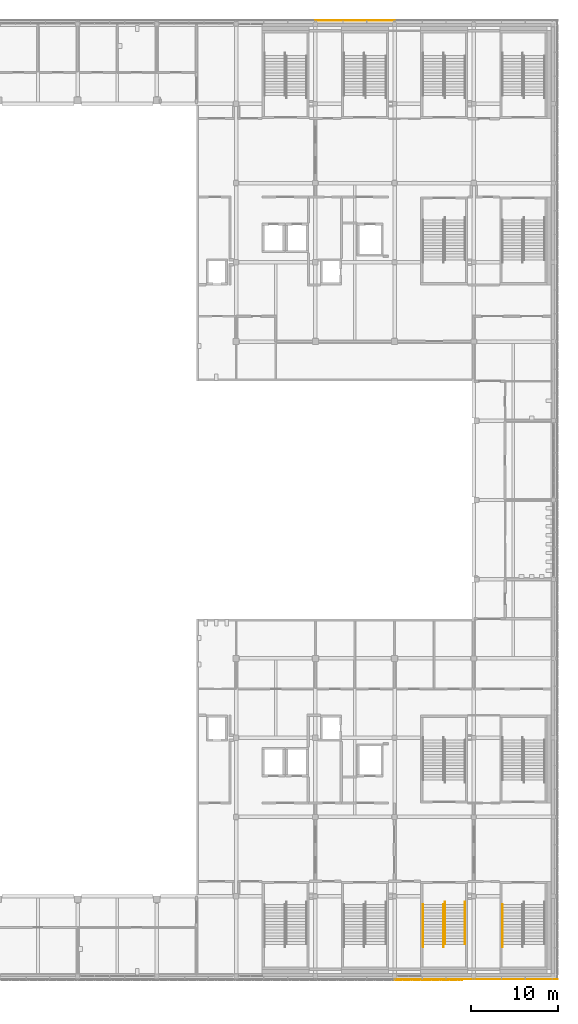
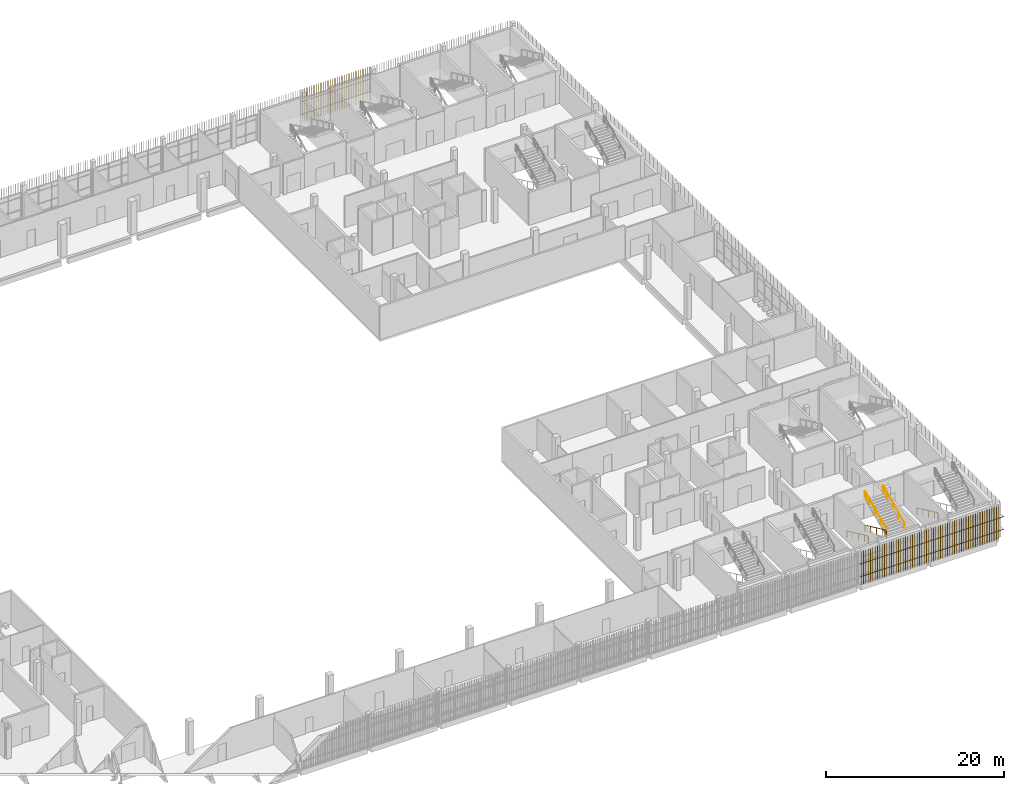
# One storey, part 116 of 124: 5 railings, 3 shading devices.
"""IFC4 building model written with IfcOpenShell, lengths in metres."""

from ifc_helpers import new_model, si_unit, direction, frame, origin, origin_2d, place, context, subcontext, project, spatial, rectangle, circle, extrude, material, type_object, element, save


model = new_model("IFC4")

# Units and contexts
model_context = context("Model", 3, precision=1e-05, world=origin(), true_north=direction((0.0, 1.0)))
body_context = subcontext(model_context, "Body", "Model", "MODEL_VIEW")
ifc_project = project(units=[si_unit("LENGTHUNIT", "METRE"), si_unit("AREAUNIT", "SQUARE_METRE"), si_unit("VOLUMEUNIT", "CUBIC_METRE"), si_unit("PLANEANGLEUNIT", "RADIAN"), si_unit("MASSUNIT", "GRAM", prefix="KILO")], contexts=[model_context])

# Site, building, storey
site_placement = place(None, origin())
site = spatial("IfcSite", under=ifc_project, at=site_placement, CompositionType="ELEMENT")
building_placement = place(site_placement, origin())
building = spatial("IfcBuilding", under=site, at=building_placement, Name="Shirokan Park Arena", CompositionType="ELEMENT")
storey_placement = place(building_placement, frame((0.0, 0.0, 20.02001953125)))
storey = spatial("IfcBuildingStorey", under=building, at=storey_placement, Name="L04", CompositionType="ELEMENT", Elevation=20.02001953125)

# Railings
ifc_material_1 = material(Name="Stainless steel", Category="steel")
railing_type = type_object("IfcRailingType", Name="Stair handrail 900", PredefinedType="HANDRAIL", material=ifc_material_1)
railing_1_placement = place(storey_placement, frame((139.7900390625, 8.14990234375, 0.151611328125)))
element("IfcRailing", 1, at=railing_1_placement, inside=storey, type_object=railing_type, Name="Handrail Exit Stair 2.A L04 to L05", PredefinedType="HANDRAIL", context=body_context, shape_type="SweptSolid", body=[
    extrude(circle(Radius=0.02392578125, at=origin_2d()), frame((0.0, 0.0, 0.8759765625), z_axis=(0.0, -0.906999720516, 0.421131222998), x_axis=(1.0, 0.0, 0.0)), (0.0, 0.0, 1.0), 1.440673828125),
    extrude(circle(Radius=0.02392578125, at=origin_2d()), frame((0.0, -1.306640625, 1.482421875), z_axis=(0.0, -0.907029769225, 0.421066500378), x_axis=(1.0, 0.0, 0.0)), (0.0, 0.0, 1.0), 1.44091796875),
    extrude(circle(Radius=0.02392578125, at=origin_2d()), frame((0.0, -2.613525390625, 2.08935546875), z_axis=(0.0, -0.907029769225, 0.421066500378), x_axis=(1.0, 0.0, 0.0)), (0.0, 0.0, 1.0), 1.44091796875),
    extrude(circle(Radius=0.02392578125, at=origin_2d()), frame((0.0, -3.92041015625, 2.69580078125), z_axis=(0.0, -0.907064445915, 0.420991794405), x_axis=(1.0, 0.0, 0.0)), (0.0, 0.0, 1.0), 0.72021484375),
    extrude(circle(Radius=0.02392578125, at=origin_2d()), frame((0.0, -4.57373046875, 2.9990234375), z_axis=(0.0, -1.0, 0.0), x_axis=(1.0, 0.0, 0.0)), (0.0, 0.0, 1.0), 0.300048828125),
    extrude(circle(Radius=0.02099609375, at=origin_2d()), origin(), (0.0, 0.0, 1.0), 0.851806640625),
    extrude(circle(Radius=0.02099609375, at=origin_2d()), frame((0.0, -1.306640625, 0.606689453125)), (0.0, 0.0, 1.0), 0.851806640625),
    extrude(circle(Radius=0.02099609375, at=origin_2d()), frame((0.0, -2.613525390625, 1.21337890625)), (0.0, 0.0, 1.0), 0.851806640625),
    extrude(circle(Radius=0.02099609375, at=origin_2d()), frame((0.0, -3.92041015625, 1.820068359375)), (0.0, 0.0, 1.0), 0.851806640625),
    extrude(circle(Radius=0.02099609375, at=origin_2d()), frame((0.0, -4.57373046875, 2.123291015625)), (0.0, 0.0, 1.0), 0.851806640625),
    extrude(circle(Radius=0.02099609375, at=origin_2d()), frame((0.0, -4.873779296875, 2.123291015625)), (0.0, 0.0, 1.0), 0.851806640625),
])
railing_2_placement = place(storey_placement, frame((130.68994140625, 8.14990234375, 0.151611328125)))
element("IfcRailing", 2, at=railing_2_placement, inside=storey, type_object=railing_type, Name="Handrail Exit Stair 2.B L04 to L05", PredefinedType="HANDRAIL", context=body_context, shape_type="SweptSolid", body=[
    extrude(circle(Radius=0.02392578125, at=origin_2d()), frame((0.0, 0.0, 0.8759765625), z_axis=(0.0, -0.906999720516, 0.421131222998), x_axis=(1.0, 0.0, 0.0)), (0.0, 0.0, 1.0), 1.440673828125),
    extrude(circle(Radius=0.02392578125, at=origin_2d()), frame((0.0, -1.306640625, 1.482421875), z_axis=(0.0, -0.907029769225, 0.421066500378), x_axis=(1.0, 0.0, 0.0)), (0.0, 0.0, 1.0), 1.44091796875),
    extrude(circle(Radius=0.02392578125, at=origin_2d()), frame((0.0, -2.613525390625, 2.08935546875), z_axis=(0.0, -0.907029769225, 0.421066500378), x_axis=(1.0, 0.0, 0.0)), (0.0, 0.0, 1.0), 1.44091796875),
    extrude(circle(Radius=0.02392578125, at=origin_2d()), frame((0.0, -3.92041015625, 2.69580078125), z_axis=(0.0, -0.907064445915, 0.420991794405), x_axis=(1.0, 0.0, 0.0)), (0.0, 0.0, 1.0), 0.72021484375),
    extrude(circle(Radius=0.02392578125, at=origin_2d()), frame((0.0, -4.57373046875, 2.9990234375), z_axis=(0.0, -1.0, 0.0), x_axis=(1.0, 0.0, 0.0)), (0.0, 0.0, 1.0), 0.300048828125),
    extrude(circle(Radius=0.02099609375, at=origin_2d()), origin(), (0.0, 0.0, 1.0), 0.851806640625),
    extrude(circle(Radius=0.02099609375, at=origin_2d()), frame((0.0, -1.306640625, 0.606689453125)), (0.0, 0.0, 1.0), 0.851806640625),
    extrude(circle(Radius=0.02099609375, at=origin_2d()), frame((0.0, -2.613525390625, 1.21337890625)), (0.0, 0.0, 1.0), 0.851806640625),
    extrude(circle(Radius=0.02099609375, at=origin_2d()), frame((0.0, -3.92041015625, 1.820068359375)), (0.0, 0.0, 1.0), 0.851806640625),
    extrude(circle(Radius=0.02099609375, at=origin_2d()), frame((0.0, -4.57373046875, 2.123291015625)), (0.0, 0.0, 1.0), 0.851806640625),
    extrude(circle(Radius=0.02099609375, at=origin_2d()), frame((0.0, -4.873779296875, 2.123291015625)), (0.0, 0.0, 1.0), 0.851806640625),
])
railing_3_placement = place(storey_placement, frame((133.010009765625, 8.14990234375, 0.151611328125)))
element("IfcRailing", 3, at=railing_3_placement, inside=storey, type_object=railing_type, Name="Handrail Exit Stair 2.B L04 to L05", PredefinedType="HANDRAIL", context=body_context, shape_type="SweptSolid", body=[
    extrude(circle(Radius=0.02392578125, at=origin_2d()), frame((0.0, 0.0, 0.8759765625), z_axis=(0.0, -0.906999720516, 0.421131222998), x_axis=(1.0, 0.0, 0.0)), (0.0, 0.0, 1.0), 1.440673828125),
    extrude(circle(Radius=0.02392578125, at=origin_2d()), frame((0.0, -1.306640625, 1.482421875), z_axis=(0.0, -0.907029769225, 0.421066500378), x_axis=(1.0, 0.0, 0.0)), (0.0, 0.0, 1.0), 1.44091796875),
    extrude(circle(Radius=0.02392578125, at=origin_2d()), frame((0.0, -2.613525390625, 2.08935546875), z_axis=(0.0, -0.907029769225, 0.421066500378), x_axis=(1.0, 0.0, 0.0)), (0.0, 0.0, 1.0), 1.44091796875),
    extrude(circle(Radius=0.02392578125, at=origin_2d()), frame((0.0, -3.92041015625, 2.69580078125), z_axis=(0.0, -0.907064445915, 0.420991794405), x_axis=(1.0, 0.0, 0.0)), (0.0, 0.0, 1.0), 0.72021484375),
    extrude(circle(Radius=0.02392578125, at=origin_2d()), frame((0.0, -4.57373046875, 2.9990234375), z_axis=(0.0, -1.0, 0.0), x_axis=(1.0, 0.0, 0.0)), (0.0, 0.0, 1.0), 0.300048828125),
    extrude(circle(Radius=0.02099609375, at=origin_2d()), origin(), (0.0, 0.0, 1.0), 0.851806640625),
    extrude(circle(Radius=0.02099609375, at=origin_2d()), frame((0.0, -1.306640625, 0.606689453125)), (0.0, 0.0, 1.0), 0.851806640625),
    extrude(circle(Radius=0.02099609375, at=origin_2d()), frame((0.0, -2.613525390625, 1.21337890625)), (0.0, 0.0, 1.0), 0.851806640625),
    extrude(circle(Radius=0.02099609375, at=origin_2d()), frame((0.0, -3.92041015625, 1.820068359375)), (0.0, 0.0, 1.0), 0.851806640625),
    extrude(circle(Radius=0.02099609375, at=origin_2d()), frame((0.0, -4.57373046875, 2.123291015625)), (0.0, 0.0, 1.0), 0.851806640625),
    extrude(circle(Radius=0.02099609375, at=origin_2d()), frame((0.0, -4.873779296875, 2.123291015625)), (0.0, 0.0, 1.0), 0.851806640625),
])
railing_4_placement = place(storey_placement, frame((133.18994140625, 3.576171875, 2.4267578125)))
element("IfcRailing", 4, at=railing_4_placement, inside=storey, type_object=railing_type, Name="Handrail Exit Stair 2.B L04 to L05", PredefinedType="HANDRAIL", context=body_context, shape_type="SweptSolid", body=[
    extrude(circle(Radius=0.02392578125, at=origin_2d()), frame((0.0, 0.0, 0.8759765625), z_axis=(0.0, 0.907094476872, 0.420927083981), x_axis=(-1.0, 0.0, 0.0)), (0.0, 0.0, 1.0), 1.440673828125),
    extrude(circle(Radius=0.02392578125, at=origin_2d()), frame((0.0, 1.306884765625, 1.482421875), z_axis=(0.0, 0.906999720516, 0.421131222998), x_axis=(-1.0, 0.0, 0.0)), (0.0, 0.0, 1.0), 1.440673828125),
    extrude(circle(Radius=0.02392578125, at=origin_2d()), frame((0.0, 2.613525390625, 2.0888671875), z_axis=(0.0, 0.907029769225, 0.421066500378), x_axis=(-1.0, 0.0, 0.0)), (0.0, 0.0, 1.0), 1.44091796875),
    extrude(circle(Radius=0.02392578125, at=origin_2d()), frame((0.0, 3.92041015625, 2.69580078125), z_axis=(0.0, 0.906934982928, 0.421270621741), x_axis=(-1.0, 0.0, 0.0)), (0.0, 0.0, 1.0), 0.720458984375),
    extrude(circle(Radius=0.02392578125, at=origin_2d()), frame((0.0, 4.57373046875, 2.9990234375), z_axis=(0.0, 1.0, 0.0), x_axis=(-1.0, 0.0, 0.0)), (0.0, 0.0, 1.0), 0.300048828125),
    extrude(circle(Radius=0.02099609375, at=origin_2d()), origin(), (0.0, 0.0, 1.0), 0.851806640625),
    extrude(circle(Radius=0.02099609375, at=origin_2d()), frame((0.0, 1.306884765625, 0.6064453125)), (0.0, 0.0, 1.0), 0.851806640625),
    extrude(circle(Radius=0.02099609375, at=origin_2d()), frame((0.0, 2.613525390625, 1.213134765625)), (0.0, 0.0, 1.0), 0.851806640625),
    extrude(circle(Radius=0.02099609375, at=origin_2d()), frame((0.0, 3.92041015625, 1.81982421875)), (0.0, 0.0, 1.0), 0.851806640625),
    extrude(circle(Radius=0.02099609375, at=origin_2d()), frame((0.0, 4.57373046875, 2.123291015625)), (0.0, 0.0, 1.0), 0.851806640625),
    extrude(circle(Radius=0.02099609375, at=origin_2d()), frame((0.0, 4.873779296875, 2.123291015625)), (0.0, 0.0, 1.0), 0.851806640625),
])
railing_5_placement = place(storey_placement, frame((135.510009765625, 3.576171875, 2.4267578125)))
element("IfcRailing", 5, at=railing_5_placement, inside=storey, type_object=railing_type, Name="Handrail Exit Stair 2.B L04 to L05", PredefinedType="HANDRAIL", context=body_context, shape_type="SweptSolid", body=[
    extrude(circle(Radius=0.02392578125, at=origin_2d()), frame((0.0, 0.0, 0.8759765625), z_axis=(0.0, 0.907094476872, 0.420927083981), x_axis=(-1.0, 0.0, 0.0)), (0.0, 0.0, 1.0), 1.440673828125),
    extrude(circle(Radius=0.02392578125, at=origin_2d()), frame((0.0, 1.306884765625, 1.482421875), z_axis=(0.0, 0.906999720516, 0.421131222998), x_axis=(-1.0, 0.0, 0.0)), (0.0, 0.0, 1.0), 1.440673828125),
    extrude(circle(Radius=0.02392578125, at=origin_2d()), frame((0.0, 2.613525390625, 2.0888671875), z_axis=(0.0, 0.907029769225, 0.421066500378), x_axis=(-1.0, 0.0, 0.0)), (0.0, 0.0, 1.0), 1.44091796875),
    extrude(circle(Radius=0.02392578125, at=origin_2d()), frame((0.0, 3.92041015625, 2.69580078125), z_axis=(0.0, 0.906934982928, 0.421270621741), x_axis=(-1.0, 0.0, 0.0)), (0.0, 0.0, 1.0), 0.720458984375),
    extrude(circle(Radius=0.02392578125, at=origin_2d()), frame((0.0, 4.57373046875, 2.9990234375), z_axis=(0.0, 1.0, 0.0), x_axis=(-1.0, 0.0, 0.0)), (0.0, 0.0, 1.0), 0.300048828125),
    extrude(circle(Radius=0.02099609375, at=origin_2d()), origin(), (0.0, 0.0, 1.0), 0.851806640625),
    extrude(circle(Radius=0.02099609375, at=origin_2d()), frame((0.0, 1.306884765625, 0.6064453125)), (0.0, 0.0, 1.0), 0.851806640625),
    extrude(circle(Radius=0.02099609375, at=origin_2d()), frame((0.0, 2.613525390625, 1.213134765625)), (0.0, 0.0, 1.0), 0.851806640625),
    extrude(circle(Radius=0.02099609375, at=origin_2d()), frame((0.0, 3.92041015625, 1.81982421875)), (0.0, 0.0, 1.0), 0.851806640625),
    extrude(circle(Radius=0.02099609375, at=origin_2d()), frame((0.0, 4.57373046875, 2.123291015625)), (0.0, 0.0, 1.0), 0.851806640625),
    extrude(circle(Radius=0.02099609375, at=origin_2d()), frame((0.0, 4.873779296875, 2.123291015625)), (0.0, 0.0, 1.0), 0.851806640625),
])

# Shading devices
ifc_material_2 = material(Name="Timber louvre veil (cedar)", Category="wood")
shading_device_type = type_object("IfcShadingDeviceType", Name="Timber louvre veil panel", PredefinedType="JALOUSIE", material=ifc_material_2)
shading_device_1_placement = place(storey_placement, origin())
element("IfcShadingDevice", 6, at=shading_device_1_placement, inside=storey, type_object=shading_device_type, Name="Timber louvre veil south bay 15 L04", PredefinedType="JALOUSIE", context=body_context, shape_type="SweptSolid", body=[
    extrude(rectangle(XDim=0.050048828125, YDim=0.080078125, at=origin_2d()), frame((127.5517578125, -0.485107421875, 0.0), z_axis=(0.0, 0.0, 1.0), x_axis=(1.0, 0.0, 0.0)), (0.0, 0.0, 1.0), 4.550048828125),
    extrude(rectangle(XDim=0.050048828125, YDim=0.080078125, at=origin_2d()), frame((127.85498046875, -0.485107421875, 0.0), z_axis=(0.0, 0.0, 1.0), x_axis=(1.0, 0.0, 0.0)), (0.0, 0.0, 1.0), 4.550048828125),
    extrude(rectangle(XDim=0.050048828125, YDim=0.080078125, at=origin_2d()), frame((128.158447265625, -0.485107421875, 0.0), z_axis=(0.0, 0.0, 1.0), x_axis=(1.0, 0.0, 0.0)), (0.0, 0.0, 1.0), 4.550048828125),
    extrude(rectangle(XDim=0.050048828125, YDim=0.080078125, at=origin_2d()), frame((128.461669921875, -0.485107421875, 0.0), z_axis=(0.0, 0.0, 1.0), x_axis=(1.0, 0.0, 0.0)), (0.0, 0.0, 1.0), 4.550048828125),
    extrude(rectangle(XDim=0.050048828125, YDim=0.080078125, at=origin_2d()), frame((128.764892578125, -0.485107421875, 0.0), z_axis=(0.0, 0.0, 1.0), x_axis=(1.0, 0.0, 0.0)), (0.0, 0.0, 1.0), 4.550048828125),
    extrude(rectangle(XDim=0.050048828125, YDim=0.080078125, at=origin_2d()), frame((129.068359375, -0.485107421875, 0.0), z_axis=(0.0, 0.0, 1.0), x_axis=(1.0, 0.0, 0.0)), (0.0, 0.0, 1.0), 4.550048828125),
    extrude(rectangle(XDim=0.050048828125, YDim=0.080078125, at=origin_2d()), frame((129.37158203125, -0.485107421875, 0.0), z_axis=(0.0, 0.0, 1.0), x_axis=(1.0, 0.0, 0.0)), (0.0, 0.0, 1.0), 4.550048828125),
    extrude(rectangle(XDim=0.050048828125, YDim=0.080078125, at=origin_2d()), frame((129.675048828125, -0.485107421875, 0.0), z_axis=(0.0, 0.0, 1.0), x_axis=(1.0, 0.0, 0.0)), (0.0, 0.0, 1.0), 4.550048828125),
    extrude(rectangle(XDim=0.050048828125, YDim=0.080078125, at=origin_2d()), frame((129.978271484375, -0.485107421875, 0.0), z_axis=(0.0, 0.0, 1.0), x_axis=(1.0, 0.0, 0.0)), (0.0, 0.0, 1.0), 4.550048828125),
    extrude(rectangle(XDim=0.050048828125, YDim=0.080078125, at=origin_2d()), frame((130.28173828125, -0.485107421875, 0.0), z_axis=(0.0, 0.0, 1.0), x_axis=(1.0, 0.0, 0.0)), (0.0, 0.0, 1.0), 4.550048828125),
    extrude(rectangle(XDim=0.050048828125, YDim=0.080078125, at=origin_2d()), frame((130.5849609375, -0.485107421875, 0.0), z_axis=(0.0, 0.0, 1.0), x_axis=(1.0, 0.0, 0.0)), (0.0, 0.0, 1.0), 4.550048828125),
    extrude(rectangle(XDim=0.050048828125, YDim=0.080078125, at=origin_2d()), frame((130.888427734375, -0.485107421875, 0.0), z_axis=(0.0, 0.0, 1.0), x_axis=(1.0, 0.0, 0.0)), (0.0, 0.0, 1.0), 4.550048828125),
    extrude(rectangle(XDim=0.050048828125, YDim=0.080078125, at=origin_2d()), frame((131.191650390625, -0.485107421875, 0.0), z_axis=(0.0, 0.0, 1.0), x_axis=(1.0, 0.0, 0.0)), (0.0, 0.0, 1.0), 4.550048828125),
    extrude(rectangle(XDim=0.050048828125, YDim=0.080078125, at=origin_2d()), frame((131.4951171875, -0.485107421875, 0.0), z_axis=(0.0, 0.0, 1.0), x_axis=(1.0, 0.0, 0.0)), (0.0, 0.0, 1.0), 4.550048828125),
    extrude(rectangle(XDim=0.050048828125, YDim=0.080078125, at=origin_2d()), frame((131.79833984375, -0.485107421875, 0.0), z_axis=(0.0, 0.0, 1.0), x_axis=(1.0, 0.0, 0.0)), (0.0, 0.0, 1.0), 4.550048828125),
    extrude(rectangle(XDim=0.050048828125, YDim=0.080078125, at=origin_2d()), frame((132.1015625, -0.485107421875, 0.0), z_axis=(0.0, 0.0, 1.0), x_axis=(1.0, 0.0, 0.0)), (0.0, 0.0, 1.0), 4.550048828125),
    extrude(rectangle(XDim=0.050048828125, YDim=0.080078125, at=origin_2d()), frame((132.405029296875, -0.485107421875, 0.0), z_axis=(0.0, 0.0, 1.0), x_axis=(1.0, 0.0, 0.0)), (0.0, 0.0, 1.0), 4.550048828125),
    extrude(rectangle(XDim=0.050048828125, YDim=0.080078125, at=origin_2d()), frame((132.708251953125, -0.485107421875, 0.0), z_axis=(0.0, 0.0, 1.0), x_axis=(1.0, 0.0, 0.0)), (0.0, 0.0, 1.0), 4.550048828125),
    extrude(rectangle(XDim=0.050048828125, YDim=0.080078125, at=origin_2d()), frame((133.01171875, -0.485107421875, 0.0), z_axis=(0.0, 0.0, 1.0), x_axis=(1.0, 0.0, 0.0)), (0.0, 0.0, 1.0), 4.550048828125),
    extrude(rectangle(XDim=0.050048828125, YDim=0.080078125, at=origin_2d()), frame((133.31494140625, -0.485107421875, 0.0), z_axis=(0.0, 0.0, 1.0), x_axis=(1.0, 0.0, 0.0)), (0.0, 0.0, 1.0), 4.550048828125),
    extrude(rectangle(XDim=0.050048828125, YDim=0.080078125, at=origin_2d()), frame((133.618408203125, -0.485107421875, 0.0), z_axis=(0.0, 0.0, 1.0), x_axis=(1.0, 0.0, 0.0)), (0.0, 0.0, 1.0), 4.550048828125),
    extrude(rectangle(XDim=0.050048828125, YDim=0.080078125, at=origin_2d()), frame((133.921630859375, -0.485107421875, 0.0), z_axis=(0.0, 0.0, 1.0), x_axis=(1.0, 0.0, 0.0)), (0.0, 0.0, 1.0), 4.550048828125),
    extrude(rectangle(XDim=0.050048828125, YDim=0.080078125, at=origin_2d()), frame((134.22509765625, -0.485107421875, 0.0), z_axis=(0.0, 0.0, 1.0), x_axis=(1.0, 0.0, 0.0)), (0.0, 0.0, 1.0), 4.550048828125),
    extrude(rectangle(XDim=0.050048828125, YDim=0.080078125, at=origin_2d()), frame((134.5283203125, -0.485107421875, 0.0), z_axis=(0.0, 0.0, 1.0), x_axis=(1.0, 0.0, 0.0)), (0.0, 0.0, 1.0), 4.550048828125),
    extrude(rectangle(XDim=0.050048828125, YDim=0.080078125, at=origin_2d()), frame((134.831787109375, -0.485107421875, 0.0), z_axis=(0.0, 0.0, 1.0), x_axis=(1.0, 0.0, 0.0)), (0.0, 0.0, 1.0), 4.550048828125),
    extrude(rectangle(XDim=0.050048828125, YDim=0.080078125, at=origin_2d()), frame((135.135009765625, -0.485107421875, 0.0), z_axis=(0.0, 0.0, 1.0), x_axis=(1.0, 0.0, 0.0)), (0.0, 0.0, 1.0), 4.550048828125),
    extrude(rectangle(XDim=0.050048828125, YDim=0.080078125, at=origin_2d()), frame((135.438232421875, -0.485107421875, 0.0), z_axis=(0.0, 0.0, 1.0), x_axis=(1.0, 0.0, 0.0)), (0.0, 0.0, 1.0), 4.550048828125),
    extrude(rectangle(XDim=0.050048828125, YDim=0.080078125, at=origin_2d()), frame((135.74169921875, -0.485107421875, 0.0), z_axis=(0.0, 0.0, 1.0), x_axis=(1.0, 0.0, 0.0)), (0.0, 0.0, 1.0), 4.550048828125),
    extrude(rectangle(XDim=0.050048828125, YDim=0.080078125, at=origin_2d()), frame((136.044921875, -0.485107421875, 0.0), z_axis=(0.0, 0.0, 1.0), x_axis=(1.0, 0.0, 0.0)), (0.0, 0.0, 1.0), 4.550048828125),
    extrude(rectangle(XDim=0.050048828125, YDim=0.080078125, at=origin_2d()), frame((136.348388671875, -0.485107421875, 0.0), z_axis=(0.0, 0.0, 1.0), x_axis=(1.0, 0.0, 0.0)), (0.0, 0.0, 1.0), 4.550048828125),
    extrude(rectangle(XDim=9.10009765625, YDim=0.050048828125, at=origin_2d()), frame((131.949951171875, -0.469970703125, 1.06005859375), z_axis=(0.0, 0.0, 1.0), x_axis=(1.0, 0.0, 0.0)), (0.0, 0.0, 1.0), 0.080078125),
    extrude(rectangle(XDim=9.10009765625, YDim=0.050048828125, at=origin_2d()), frame((131.949951171875, -0.469970703125, 2.81005859375), z_axis=(0.0, 0.0, 1.0), x_axis=(1.0, 0.0, 0.0)), (0.0, 0.0, 1.0), 0.080078125),
])
shading_device_2_placement = place(storey_placement, origin())
element("IfcShadingDevice", 7, at=shading_device_2_placement, inside=storey, type_object=shading_device_type, Name="Timber louvre veil south bay 16 L04", PredefinedType="JALOUSIE", context=body_context, shape_type="SweptSolid", body=[
    extrude(rectangle(XDim=0.050048828125, YDim=0.080078125, at=origin_2d()), frame((136.651611328125, -0.485107421875, 0.0), z_axis=(0.0, 0.0, 1.0), x_axis=(1.0, 0.0, 0.0)), (0.0, 0.0, 1.0), 4.550048828125),
    extrude(rectangle(XDim=0.050048828125, YDim=0.080078125, at=origin_2d()), frame((136.955078125, -0.485107421875, 0.0), z_axis=(0.0, 0.0, 1.0), x_axis=(1.0, 0.0, 0.0)), (0.0, 0.0, 1.0), 4.550048828125),
    extrude(rectangle(XDim=0.050048828125, YDim=0.080078125, at=origin_2d()), frame((137.25830078125, -0.485107421875, 0.0), z_axis=(0.0, 0.0, 1.0), x_axis=(1.0, 0.0, 0.0)), (0.0, 0.0, 1.0), 4.550048828125),
    extrude(rectangle(XDim=0.050048828125, YDim=0.080078125, at=origin_2d()), frame((137.561767578125, -0.485107421875, 0.0), z_axis=(0.0, 0.0, 1.0), x_axis=(1.0, 0.0, 0.0)), (0.0, 0.0, 1.0), 4.550048828125),
    extrude(rectangle(XDim=0.050048828125, YDim=0.080078125, at=origin_2d()), frame((137.864990234375, -0.485107421875, 0.0), z_axis=(0.0, 0.0, 1.0), x_axis=(1.0, 0.0, 0.0)), (0.0, 0.0, 1.0), 4.550048828125),
    extrude(rectangle(XDim=0.050048828125, YDim=0.080078125, at=origin_2d()), frame((138.168212890625, -0.485107421875, 0.0), z_axis=(0.0, 0.0, 1.0), x_axis=(1.0, 0.0, 0.0)), (0.0, 0.0, 1.0), 4.550048828125),
    extrude(rectangle(XDim=0.050048828125, YDim=0.080078125, at=origin_2d()), frame((138.4716796875, -0.485107421875, 0.0), z_axis=(0.0, 0.0, 1.0), x_axis=(1.0, 0.0, 0.0)), (0.0, 0.0, 1.0), 4.550048828125),
    extrude(rectangle(XDim=0.050048828125, YDim=0.080078125, at=origin_2d()), frame((138.77490234375, -0.485107421875, 0.0), z_axis=(0.0, 0.0, 1.0), x_axis=(1.0, 0.0, 0.0)), (0.0, 0.0, 1.0), 4.550048828125),
    extrude(rectangle(XDim=0.050048828125, YDim=0.080078125, at=origin_2d()), frame((139.078369140625, -0.485107421875, 0.0), z_axis=(0.0, 0.0, 1.0), x_axis=(1.0, 0.0, 0.0)), (0.0, 0.0, 1.0), 4.550048828125),
    extrude(rectangle(XDim=0.050048828125, YDim=0.080078125, at=origin_2d()), frame((139.381591796875, -0.485107421875, 0.0), z_axis=(0.0, 0.0, 1.0), x_axis=(1.0, 0.0, 0.0)), (0.0, 0.0, 1.0), 4.550048828125),
    extrude(rectangle(XDim=0.050048828125, YDim=0.080078125, at=origin_2d()), frame((139.68505859375, -0.485107421875, 0.0), z_axis=(0.0, 0.0, 1.0), x_axis=(1.0, 0.0, 0.0)), (0.0, 0.0, 1.0), 4.550048828125),
    extrude(rectangle(XDim=0.050048828125, YDim=0.080078125, at=origin_2d()), frame((139.98828125, -0.485107421875, 0.0), z_axis=(0.0, 0.0, 1.0), x_axis=(1.0, 0.0, 0.0)), (0.0, 0.0, 1.0), 4.550048828125),
    extrude(rectangle(XDim=0.050048828125, YDim=0.080078125, at=origin_2d()), frame((140.291748046875, -0.485107421875, 0.0), z_axis=(0.0, 0.0, 1.0), x_axis=(1.0, 0.0, 0.0)), (0.0, 0.0, 1.0), 4.550048828125),
    extrude(rectangle(XDim=0.050048828125, YDim=0.080078125, at=origin_2d()), frame((140.594970703125, -0.485107421875, 0.0), z_axis=(0.0, 0.0, 1.0), x_axis=(1.0, 0.0, 0.0)), (0.0, 0.0, 1.0), 4.550048828125),
    extrude(rectangle(XDim=0.050048828125, YDim=0.080078125, at=origin_2d()), frame((140.8984375, -0.485107421875, 0.0), z_axis=(0.0, 0.0, 1.0), x_axis=(1.0, 0.0, 0.0)), (0.0, 0.0, 1.0), 4.550048828125),
    extrude(rectangle(XDim=0.050048828125, YDim=0.080078125, at=origin_2d()), frame((141.20166015625, -0.485107421875, 0.0), z_axis=(0.0, 0.0, 1.0), x_axis=(1.0, 0.0, 0.0)), (0.0, 0.0, 1.0), 4.550048828125),
    extrude(rectangle(XDim=0.050048828125, YDim=0.080078125, at=origin_2d()), frame((141.5048828125, -0.485107421875, 0.0), z_axis=(0.0, 0.0, 1.0), x_axis=(1.0, 0.0, 0.0)), (0.0, 0.0, 1.0), 4.550048828125),
    extrude(rectangle(XDim=0.050048828125, YDim=0.080078125, at=origin_2d()), frame((141.808349609375, -0.485107421875, 0.0), z_axis=(0.0, 0.0, 1.0), x_axis=(1.0, 0.0, 0.0)), (0.0, 0.0, 1.0), 4.550048828125),
    extrude(rectangle(XDim=0.050048828125, YDim=0.080078125, at=origin_2d()), frame((142.111572265625, -0.485107421875, 0.0), z_axis=(0.0, 0.0, 1.0), x_axis=(1.0, 0.0, 0.0)), (0.0, 0.0, 1.0), 4.550048828125),
    extrude(rectangle(XDim=0.050048828125, YDim=0.080078125, at=origin_2d()), frame((142.4150390625, -0.485107421875, 0.0), z_axis=(0.0, 0.0, 1.0), x_axis=(1.0, 0.0, 0.0)), (0.0, 0.0, 1.0), 4.550048828125),
    extrude(rectangle(XDim=0.050048828125, YDim=0.080078125, at=origin_2d()), frame((142.71826171875, -0.485107421875, 0.0), z_axis=(0.0, 0.0, 1.0), x_axis=(1.0, 0.0, 0.0)), (0.0, 0.0, 1.0), 4.550048828125),
    extrude(rectangle(XDim=0.050048828125, YDim=0.080078125, at=origin_2d()), frame((143.021728515625, -0.485107421875, 0.0), z_axis=(0.0, 0.0, 1.0), x_axis=(1.0, 0.0, 0.0)), (0.0, 0.0, 1.0), 4.550048828125),
    extrude(rectangle(XDim=0.050048828125, YDim=0.080078125, at=origin_2d()), frame((143.324951171875, -0.485107421875, 0.0), z_axis=(0.0, 0.0, 1.0), x_axis=(1.0, 0.0, 0.0)), (0.0, 0.0, 1.0), 4.550048828125),
    extrude(rectangle(XDim=0.050048828125, YDim=0.080078125, at=origin_2d()), frame((143.62841796875, -0.485107421875, 0.0), z_axis=(0.0, 0.0, 1.0), x_axis=(1.0, 0.0, 0.0)), (0.0, 0.0, 1.0), 4.550048828125),
    extrude(rectangle(XDim=0.050048828125, YDim=0.080078125, at=origin_2d()), frame((143.931640625, -0.485107421875, 0.0), z_axis=(0.0, 0.0, 1.0), x_axis=(1.0, 0.0, 0.0)), (0.0, 0.0, 1.0), 4.550048828125),
    extrude(rectangle(XDim=0.050048828125, YDim=0.080078125, at=origin_2d()), frame((144.235107421875, -0.485107421875, 0.0), z_axis=(0.0, 0.0, 1.0), x_axis=(1.0, 0.0, 0.0)), (0.0, 0.0, 1.0), 4.550048828125),
    extrude(rectangle(XDim=0.050048828125, YDim=0.080078125, at=origin_2d()), frame((144.538330078125, -0.485107421875, 0.0), z_axis=(0.0, 0.0, 1.0), x_axis=(1.0, 0.0, 0.0)), (0.0, 0.0, 1.0), 4.550048828125),
    extrude(rectangle(XDim=0.050048828125, YDim=0.080078125, at=origin_2d()), frame((144.841552734375, -0.485107421875, 0.0), z_axis=(0.0, 0.0, 1.0), x_axis=(1.0, 0.0, 0.0)), (0.0, 0.0, 1.0), 4.550048828125),
    extrude(rectangle(XDim=0.050048828125, YDim=0.080078125, at=origin_2d()), frame((145.14501953125, -0.485107421875, 0.0), z_axis=(0.0, 0.0, 1.0), x_axis=(1.0, 0.0, 0.0)), (0.0, 0.0, 1.0), 4.550048828125),
    extrude(rectangle(XDim=0.050048828125, YDim=0.080078125, at=origin_2d()), frame((145.4482421875, -0.485107421875, 0.0), z_axis=(0.0, 0.0, 1.0), x_axis=(1.0, 0.0, 0.0)), (0.0, 0.0, 1.0), 4.550048828125),
    extrude(rectangle(XDim=9.625, YDim=0.050048828125, at=origin_2d()), frame((141.3125, -0.469970703125, 1.06005859375), z_axis=(0.0, 0.0, 1.0), x_axis=(1.0, 0.0, 0.0)), (0.0, 0.0, 1.0), 0.080078125),
    extrude(rectangle(XDim=9.625, YDim=0.050048828125, at=origin_2d()), frame((141.3125, -0.469970703125, 2.81005859375), z_axis=(0.0, 0.0, 1.0), x_axis=(1.0, 0.0, 0.0)), (0.0, 0.0, 1.0), 0.080078125),
])
shading_device_3_placement = place(storey_placement, origin())
element("IfcShadingDevice", 8, at=shading_device_3_placement, inside=storey, type_object=shading_device_type, Name="Timber louvre veil north bay 3 L04", PredefinedType="JALOUSIE", context=body_context, shape_type="SweptSolid", body=[
    extrude(rectangle(XDim=0.050048828125, YDim=0.080078125, at=origin_2d()), frame((127.248291015625, 109.68505859375, 0.0), z_axis=(0.0, 0.0, 1.0), x_axis=(-1.0, 0.0, 0.0)), (0.0, 0.0, 1.0), 4.550048828125),
    extrude(rectangle(XDim=0.050048828125, YDim=0.080078125, at=origin_2d()), frame((126.945068359375, 109.68505859375, 0.0), z_axis=(0.0, 0.0, 1.0), x_axis=(-1.0, 0.0, 0.0)), (0.0, 0.0, 1.0), 4.550048828125),
    extrude(rectangle(XDim=0.050048828125, YDim=0.080078125, at=origin_2d()), frame((126.6416015625, 109.68505859375, 0.0), z_axis=(0.0, 0.0, 1.0), x_axis=(-1.0, 0.0, 0.0)), (0.0, 0.0, 1.0), 4.550048828125),
    extrude(rectangle(XDim=0.050048828125, YDim=0.080078125, at=origin_2d()), frame((126.33837890625, 109.68505859375, 0.0), z_axis=(0.0, 0.0, 1.0), x_axis=(-1.0, 0.0, 0.0)), (0.0, 0.0, 1.0), 4.550048828125),
    extrude(rectangle(XDim=0.050048828125, YDim=0.080078125, at=origin_2d()), frame((126.034912109375, 109.68505859375, 0.0), z_axis=(0.0, 0.0, 1.0), x_axis=(-1.0, 0.0, 0.0)), (0.0, 0.0, 1.0), 4.550048828125),
    extrude(rectangle(XDim=0.050048828125, YDim=0.080078125, at=origin_2d()), frame((125.731689453125, 109.68505859375, 0.0), z_axis=(0.0, 0.0, 1.0), x_axis=(-1.0, 0.0, 0.0)), (0.0, 0.0, 1.0), 4.550048828125),
    extrude(rectangle(XDim=0.050048828125, YDim=0.080078125, at=origin_2d()), frame((125.42822265625, 109.68505859375, 0.0), z_axis=(0.0, 0.0, 1.0), x_axis=(-1.0, 0.0, 0.0)), (0.0, 0.0, 1.0), 4.550048828125),
    extrude(rectangle(XDim=0.050048828125, YDim=0.080078125, at=origin_2d()), frame((125.125, 109.68505859375, 0.0), z_axis=(0.0, 0.0, 1.0), x_axis=(-1.0, 0.0, 0.0)), (0.0, 0.0, 1.0), 4.550048828125),
    extrude(rectangle(XDim=0.050048828125, YDim=0.080078125, at=origin_2d()), frame((124.82177734375, 109.68505859375, 0.0), z_axis=(0.0, 0.0, 1.0), x_axis=(-1.0, 0.0, 0.0)), (0.0, 0.0, 1.0), 4.550048828125),
    extrude(rectangle(XDim=0.050048828125, YDim=0.080078125, at=origin_2d()), frame((124.518310546875, 109.68505859375, 0.0), z_axis=(0.0, 0.0, 1.0), x_axis=(-1.0, 0.0, 0.0)), (0.0, 0.0, 1.0), 4.550048828125),
    extrude(rectangle(XDim=0.050048828125, YDim=0.080078125, at=origin_2d()), frame((124.215087890625, 109.68505859375, 0.0), z_axis=(0.0, 0.0, 1.0), x_axis=(-1.0, 0.0, 0.0)), (0.0, 0.0, 1.0), 4.550048828125),
    extrude(rectangle(XDim=0.050048828125, YDim=0.080078125, at=origin_2d()), frame((123.91162109375, 109.68505859375, 0.0), z_axis=(0.0, 0.0, 1.0), x_axis=(-1.0, 0.0, 0.0)), (0.0, 0.0, 1.0), 4.550048828125),
    extrude(rectangle(XDim=0.050048828125, YDim=0.080078125, at=origin_2d()), frame((123.6083984375, 109.68505859375, 0.0), z_axis=(0.0, 0.0, 1.0), x_axis=(-1.0, 0.0, 0.0)), (0.0, 0.0, 1.0), 4.550048828125),
    extrude(rectangle(XDim=0.050048828125, YDim=0.080078125, at=origin_2d()), frame((123.304931640625, 109.68505859375, 0.0), z_axis=(0.0, 0.0, 1.0), x_axis=(-1.0, 0.0, 0.0)), (0.0, 0.0, 1.0), 4.550048828125),
    extrude(rectangle(XDim=0.050048828125, YDim=0.080078125, at=origin_2d()), frame((123.001708984375, 109.68505859375, 0.0), z_axis=(0.0, 0.0, 1.0), x_axis=(-1.0, 0.0, 0.0)), (0.0, 0.0, 1.0), 4.550048828125),
    extrude(rectangle(XDim=0.050048828125, YDim=0.080078125, at=origin_2d()), frame((122.6982421875, 109.68505859375, 0.0), z_axis=(0.0, 0.0, 1.0), x_axis=(-1.0, 0.0, 0.0)), (0.0, 0.0, 1.0), 4.550048828125),
    extrude(rectangle(XDim=0.050048828125, YDim=0.080078125, at=origin_2d()), frame((122.39501953125, 109.68505859375, 0.0), z_axis=(0.0, 0.0, 1.0), x_axis=(-1.0, 0.0, 0.0)), (0.0, 0.0, 1.0), 4.550048828125),
    extrude(rectangle(XDim=0.050048828125, YDim=0.080078125, at=origin_2d()), frame((122.091552734375, 109.68505859375, 0.0), z_axis=(0.0, 0.0, 1.0), x_axis=(-1.0, 0.0, 0.0)), (0.0, 0.0, 1.0), 4.550048828125),
    extrude(rectangle(XDim=0.050048828125, YDim=0.080078125, at=origin_2d()), frame((121.788330078125, 109.68505859375, 0.0), z_axis=(0.0, 0.0, 1.0), x_axis=(-1.0, 0.0, 0.0)), (0.0, 0.0, 1.0), 4.550048828125),
    extrude(rectangle(XDim=0.050048828125, YDim=0.080078125, at=origin_2d()), frame((121.485107421875, 109.68505859375, 0.0), z_axis=(0.0, 0.0, 1.0), x_axis=(-1.0, 0.0, 0.0)), (0.0, 0.0, 1.0), 4.550048828125),
    extrude(rectangle(XDim=0.050048828125, YDim=0.080078125, at=origin_2d()), frame((121.181640625, 109.68505859375, 0.0), z_axis=(0.0, 0.0, 1.0), x_axis=(-1.0, 0.0, 0.0)), (0.0, 0.0, 1.0), 4.550048828125),
    extrude(rectangle(XDim=0.050048828125, YDim=0.080078125, at=origin_2d()), frame((120.87841796875, 109.68505859375, 0.0), z_axis=(0.0, 0.0, 1.0), x_axis=(-1.0, 0.0, 0.0)), (0.0, 0.0, 1.0), 4.550048828125),
    extrude(rectangle(XDim=0.050048828125, YDim=0.080078125, at=origin_2d()), frame((120.574951171875, 109.68505859375, 0.0), z_axis=(0.0, 0.0, 1.0), x_axis=(-1.0, 0.0, 0.0)), (0.0, 0.0, 1.0), 4.550048828125),
    extrude(rectangle(XDim=0.050048828125, YDim=0.080078125, at=origin_2d()), frame((120.271728515625, 109.68505859375, 0.0), z_axis=(0.0, 0.0, 1.0), x_axis=(-1.0, 0.0, 0.0)), (0.0, 0.0, 1.0), 4.550048828125),
    extrude(rectangle(XDim=0.050048828125, YDim=0.080078125, at=origin_2d()), frame((119.96826171875, 109.68505859375, 0.0), z_axis=(0.0, 0.0, 1.0), x_axis=(-1.0, 0.0, 0.0)), (0.0, 0.0, 1.0), 4.550048828125),
    extrude(rectangle(XDim=0.050048828125, YDim=0.080078125, at=origin_2d()), frame((119.6650390625, 109.68505859375, 0.0), z_axis=(0.0, 0.0, 1.0), x_axis=(-1.0, 0.0, 0.0)), (0.0, 0.0, 1.0), 4.550048828125),
    extrude(rectangle(XDim=0.050048828125, YDim=0.080078125, at=origin_2d()), frame((119.361572265625, 109.68505859375, 0.0), z_axis=(0.0, 0.0, 1.0), x_axis=(-1.0, 0.0, 0.0)), (0.0, 0.0, 1.0), 4.550048828125),
    extrude(rectangle(XDim=0.050048828125, YDim=0.080078125, at=origin_2d()), frame((119.058349609375, 109.68505859375, 0.0), z_axis=(0.0, 0.0, 1.0), x_axis=(-1.0, 0.0, 0.0)), (0.0, 0.0, 1.0), 4.550048828125),
    extrude(rectangle(XDim=0.050048828125, YDim=0.080078125, at=origin_2d()), frame((118.7548828125, 109.68505859375, 0.0), z_axis=(0.0, 0.0, 1.0), x_axis=(-1.0, 0.0, 0.0)), (0.0, 0.0, 1.0), 4.550048828125),
    extrude(rectangle(XDim=0.050048828125, YDim=0.080078125, at=origin_2d()), frame((118.45166015625, 109.68505859375, 0.0), z_axis=(0.0, 0.0, 1.0), x_axis=(-1.0, 0.0, 0.0)), (0.0, 0.0, 1.0), 4.550048828125),
    extrude(rectangle(XDim=9.10009765625, YDim=0.050048828125, at=origin_2d()), frame((122.85009765625, 109.669921875, 1.06005859375), z_axis=(0.0, 0.0, 1.0), x_axis=(-1.0, 0.0, 0.0)), (0.0, 0.0, 1.0), 0.080078125),
    extrude(rectangle(XDim=9.10009765625, YDim=0.050048828125, at=origin_2d()), frame((122.85009765625, 109.669921875, 2.81005859375), z_axis=(0.0, 0.0, 1.0), x_axis=(-1.0, 0.0, 0.0)), (0.0, 0.0, 1.0), 0.080078125),
])

save(model, "model.ifc")
